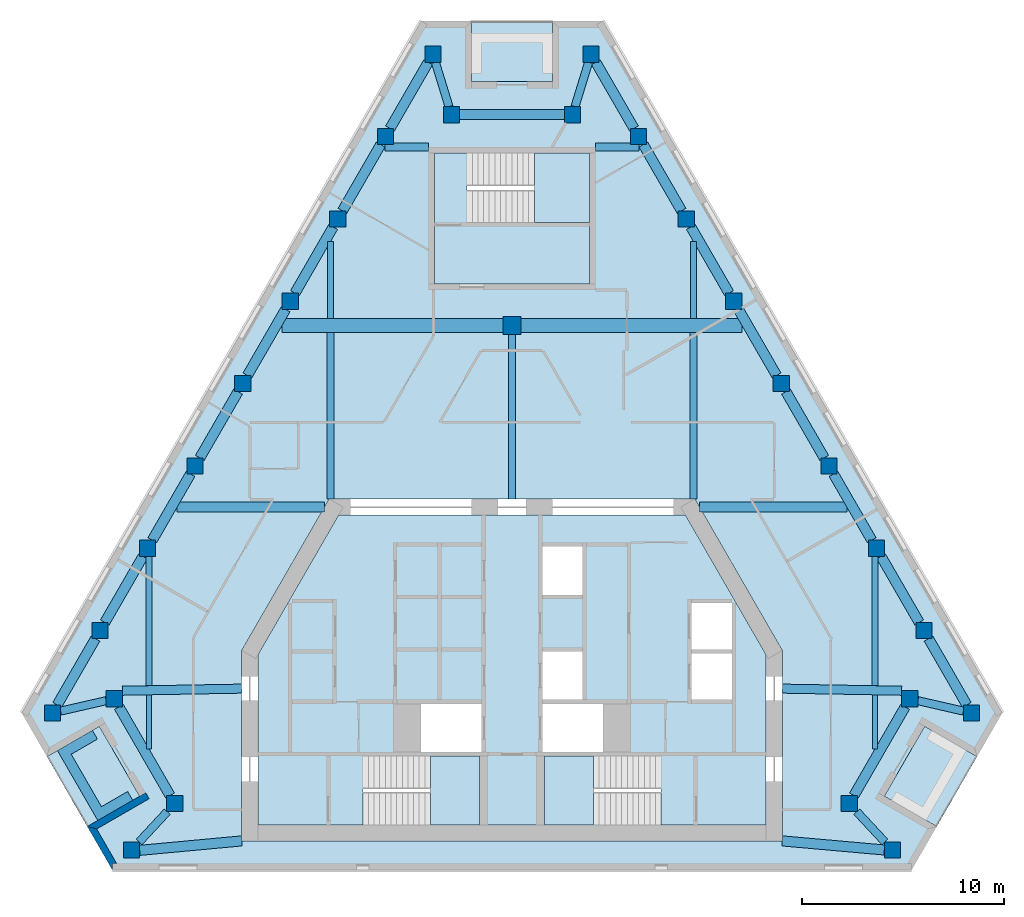
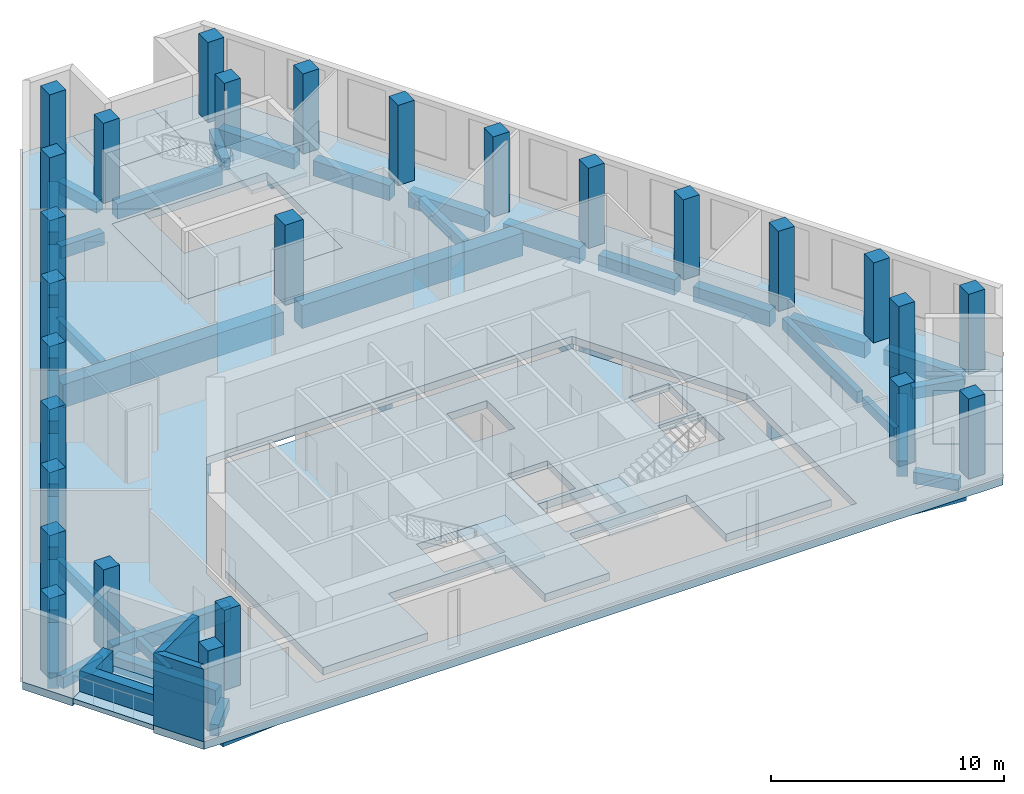
# One storey, part 1 of 8: 44 beams, 27 columns, 9 slabs, 3 walls, 3 elements without a shape of their own.
"""IFC4 building model written with IfcOpenShell, lengths in metres."""

from ifc_helpers import new_model, si_unit, direction, frame, origin, origin_2d, place, context, subcontext, project, spatial, polyline, rectangle, outline, extrude, material, layer, layer_set, material_profile, profile_set, type_object, element, aggregate, save


model = new_model("IFC4")

# Units and contexts
model_context = context("Model", 3, precision=1e-05, world=origin(), true_north=direction((0.0, 1.0)))
body_context = subcontext(model_context, "Body", "Model", "MODEL_VIEW")
ifc_project = project(units=[si_unit("LENGTHUNIT", "METRE"), si_unit("AREAUNIT", "SQUARE_METRE"), si_unit("VOLUMEUNIT", "CUBIC_METRE"), si_unit("PLANEANGLEUNIT", "RADIAN"), si_unit("MASSUNIT", "GRAM", prefix="KILO")], contexts=[model_context])

# Site, building, storey
site_placement = place(None, origin())
site = spatial("IfcSite", under=ifc_project, at=site_placement, CompositionType="ELEMENT")
building_placement = place(site_placement, origin())
building = spatial("IfcBuilding", under=site, at=building_placement, Name="Fogline Exchange Tower", CompositionType="ELEMENT")
storey_placement = place(building_placement, frame((0.0, 0.0, 326.699951171875)))
storey = spatial("IfcBuildingStorey", under=building, at=storey_placement, Name="L74", CompositionType="ELEMENT", Elevation=326.699951171875)

# Columns
ifc_material_1 = material(Name="Concrete C60", Category="concrete")
ifc_material_profile_1 = material_profile(ifc_material_1, rectangle(XDim=0.89990234375, YDim=0.89990234375, at=origin_2d()), Name="RC 900x900")
ifc_profile_set_1 = profile_set([ifc_material_profile_1], Name="Concrete C60")
column_type_1 = type_object("IfcColumnType", Name="C06", PredefinedType="COLUMN", material=ifc_profile_set_1)
column_placement = place(storey_placement, frame((0.0, 27.0, 0.0), z_axis=(0.0, 0.0, 1.0), x_axis=(1.0, 0.0, 0.0)))
element("IfcColumn", 1, at=column_placement, inside=storey, type_object=column_type_1, Name="IC-0-27", PredefinedType="COLUMN", context=body_context, shape_type="SweptSolid", body=[
    extrude(rectangle(XDim=0.89990234375, YDim=0.89990234375, at=origin_2d()), origin(), (0.0, 0.0, 1.0), 4.199951171875),
])
ifc_material_profile_2 = material_profile(ifc_material_1, rectangle(XDim=0.800048828125, YDim=0.800048828125, at=origin_2d()), Name="RC 800x800")
ifc_profile_set_2 = profile_set([ifc_material_profile_2], Name="Concrete C60")
column_type_2 = type_object("IfcColumnType", Name="C07", PredefinedType="COLUMN", material=ifc_profile_set_2)
for number, where, z_axis, x_axis, name in (
    (2, (-22.7802734375, 7.794189453125, 0.0), (0.0, 0.0, 1.0), (1.0, 0.0, 0.0), "SW-a"),
    (3, (-19.720947265625, 8.4951171875, 0.0), (0.0, 0.0, 1.0), (1.0, 0.0, 0.0), "SW-p4"),
    (4, (-16.720947265625, 3.299072265625, 0.0), (0.0, 0.0, 1.0), (1.0, 0.0, 0.0), "SW-p3"),
    (5, (-18.857666015625, 1.0, 0.0), (0.0, 0.0, 1.0), (1.0, 0.0, 0.0), "SW-b"),
    (6, (18.857666015625, 1.0, 0.0), (0.0, 0.0, 1.0), (1.0, 0.0, 0.0), "SE-a"),
    (7, (16.720947265625, 3.299072265625, 0.0), (0.0, 0.0, 1.0), (1.0, 0.0, 0.0), "SE-p4"),
    (8, (19.720947265625, 8.4951171875, 0.0), (0.0, 0.0, 1.0), (1.0, 0.0, 0.0), "SE-p3"),
    (9, (22.7802734375, 7.794189453125, 0.0), (0.0, 0.0, 1.0), (1.0, 0.0, 0.0), "SE-b"),
    (10, (20.423095703125, 11.876953125, 0.0), (0.0, 0.0, 1.0), (1.0, 0.0, 0.0), "E1"),
    (11, (18.06591796875, 15.959716796875, 0.0), (0.0, 0.0, 1.0), (1.0, 0.0, 0.0), "E2"),
    (12, (15.708740234375, 20.04248046875, 0.0), (0.0, 0.0, 1.0), (1.0, 0.0, 0.0), "E3"),
    (13, (13.3515625, 24.12548828125, 0.0), (0.0, 0.0, 1.0), (1.0, 0.0, 0.0), "E4"),
    (14, (10.994384765625, 28.208251953125, 0.0), (0.0, 0.0, 1.0), (1.0, 0.0, 0.0), "E5"),
    (15, (8.63720703125, 32.291015625, 0.0), (0.0, 0.0, 1.0), (1.0, 0.0, 0.0), "E6"),
    (16, (6.27978515625, 36.373779296875, 0.0), (0.0, 0.0, 1.0), (1.0, 0.0, 0.0), "E7"),
    (17, (3.922607421875, 40.456787109375, 0.0), (0.0, 0.0, 1.0), (1.0, 0.0, 0.0), "N-a"),
    (18, (3.0, 37.456787109375, 0.0), (0.0, 0.0, 1.0), (1.0, 0.0, 0.0), "N-p4"),
    (19, (-3.0, 37.456787109375, 0.0), (0.0, 0.0, 1.0), (1.0, 0.0, 0.0), "N-p3"),
    (20, (-3.922607421875, 40.456787109375, 0.0), (0.0, 0.0, 1.0), (1.0, 0.0, 0.0), "N-b"),
    (21, (-6.27978515625, 36.373779296875, 0.0), (0.0, 0.0, 1.0), (1.0, 0.0, 0.0), "W1"),
    (22, (-8.63720703125, 32.291015625, 0.0), (0.0, 0.0, 1.0), (1.0, 0.0, 0.0), "W2"),
    (23, (-10.994384765625, 28.208251953125, 0.0), (0.0, 0.0, 1.0), (1.0, 0.0, 0.0), "W3"),
    (24, (-13.3515625, 24.12548828125, 0.0), (0.0, 0.0, 1.0), (1.0, 0.0, 0.0), "W4"),
    (25, (-15.708740234375, 20.04248046875, 0.0), (0.0, 0.0, 1.0), (1.0, 0.0, 0.0), "W5"),
    (26, (-18.06591796875, 15.959716796875, 0.0), (0.0, 0.0, 1.0), (1.0, 0.0, 0.0), "W6"),
    (27, (-20.423095703125, 11.876953125, 0.0), (0.0, 0.0, 1.0), (1.0, 0.0, 0.0), "W7"),
):
    element("IfcColumn", number, at=place(storey_placement, frame(where, z_axis=z_axis, x_axis=x_axis)), inside=storey, type_object=column_type_2, Name=name, PredefinedType="COLUMN", context=body_context, shape_type="SweptSolid", body=[
        extrude(rectangle(XDim=0.800048828125, YDim=0.800048828125, at=origin_2d()), origin(), (0.0, 0.0, 1.0), 4.199951171875),
    ])

# Beams
ifc_material_2 = material(Name="Concrete C40", Category="concrete")
ifc_material_profile_3 = material_profile(ifc_material_2, rectangle(XDim=0.300048828125, YDim=0.60009765625, at=origin_2d()), Name="RC 300x600")
ifc_profile_set_3 = profile_set([ifc_material_profile_3], Name="Concrete C40")
beam_type_1 = type_object("IfcBeamType", Name="B06", PredefinedType="BEAM", material=ifc_profile_set_3)
beam_1_placement = place(storey_placement, frame((-18.0, 9.1435546875, -0.699951171875), z_axis=(0.0, 1.0, 0.0), x_axis=(-1.0, 0.0, 0.0)))
element("IfcBeam", 28, at=beam_1_placement, inside=storey, type_object=beam_type_1, Name="SB002", PredefinedType="BEAM", context=body_context, shape_type="SweptSolid", body=[
    extrude(rectangle(XDim=0.300048828125, YDim=0.60009765625, at=origin_2d()), origin(), (0.0, 0.0, 1.0), 6.416259765625),
])
for number, where, z_axis, x_axis, name in (
    (29, (-9.0, 27.35009765625, -0.699951171875), (0.0, 1.0, 0.0), (-1.0, 0.0, 0.0), "SB004"),
    (30, (9.0, 27.35009765625, -0.699951171875), (0.0, 1.0, 0.0), (-1.0, 0.0, 0.0), "SB007"),
):
    element("IfcBeam", number, at=place(storey_placement, frame(where, z_axis=z_axis, x_axis=x_axis)), inside=storey, type_object=beam_type_1, Name=name, PredefinedType="BEAM", context=body_context, shape_type="SweptSolid", body=[
        extrude(rectangle(XDim=0.300048828125, YDim=0.60009765625, at=origin_2d()), origin(), (0.0, 0.0, 1.0), 3.812255859375),
    ])
beam_2_placement = place(storey_placement, frame((18.0, 9.1435546875, -0.699951171875), z_axis=(0.0, 1.0, 0.0), x_axis=(-1.0, 0.0, 0.0)))
element("IfcBeam", 31, at=beam_2_placement, inside=storey, type_object=beam_type_1, Name="SB009", PredefinedType="BEAM", context=body_context, shape_type="SweptSolid", body=[
    extrude(rectangle(XDim=0.300048828125, YDim=0.60009765625, at=origin_2d()), origin(), (0.0, 0.0, 1.0), 6.416259765625),
])
ifc_material_profile_4 = material_profile(ifc_material_2, rectangle(XDim=0.25, YDim=0.5, at=origin_2d()), Name="RC 250x500")
ifc_profile_set_4 = profile_set([ifc_material_profile_4], Name="Concrete C40")
beam_type_2 = type_object("IfcBeamType", Name="B08", PredefinedType="BEAM", material=ifc_profile_set_4)
for number, where, z_axis, x_axis, name in (
    (32, (-18.0, 6.014404296875, -0.64990234375), (0.0, 1.0, 0.0), (-1.0, 0.0, 0.0), "SB001"),
    (33, (18.0, 6.014404296875, -0.64990234375), (0.0, 1.0, 0.0), (-1.0, 0.0, 0.0), "SB008"),
):
    element("IfcBeam", number, at=place(storey_placement, frame(where, z_axis=z_axis, x_axis=x_axis)), inside=storey, type_object=beam_type_2, Name=name, PredefinedType="BEAM", context=body_context, shape_type="SweptSolid", body=[
        extrude(rectangle(XDim=0.25, YDim=0.5, at=origin_2d()), origin(), (0.0, 0.0, 1.0), 2.67919921875),
    ])
ifc_material_profile_5 = material_profile(ifc_material_2, rectangle(XDim=0.5, YDim=0.800048828125, at=origin_2d()), Name="RC 500x800")
ifc_profile_set_5 = profile_set([ifc_material_profile_5], Name="Concrete C40")
beam_type_3 = type_object("IfcBeamType", Name="B10", PredefinedType="BEAM", material=ifc_profile_set_5)
beam_3_placement = place(storey_placement, frame((-19.489990234375, 8.09521484375, -0.800048828125), z_axis=(0.499987508774, -0.866032615477, 0.0), x_axis=(0.866032615477, 0.499987508774, 0.0)))
element("IfcBeam", 34, at=beam_3_placement, inside=storey, type_object=beam_type_3, Name="RB002", PredefinedType="BEAM", context=body_context, shape_type="SweptSolid", body=[
    extrude(rectangle(XDim=0.5, YDim=0.800048828125, at=origin_2d()), origin(), (0.0, 0.0, 1.0), 5.076416015625),
])
beam_4_placement = place(storey_placement, frame((-18.457763671875, 0.981689453125, -0.800048828125), z_axis=(0.995741736268, 0.092186737952, 0.0), x_axis=(-0.092186737952, 0.995741736268, 0.0)))
element("IfcBeam", 35, at=beam_4_placement, inside=storey, type_object=beam_type_3, Name="RB004", PredefinedType="BEAM", context=body_context, shape_type="SweptSolid", body=[
    extrude(rectangle(XDim=0.5, YDim=0.800048828125, at=origin_2d()), origin(), (0.0, 0.0, 1.0), 5.07958984375),
])
beam_5_placement = place(storey_placement, frame((13.39990234375, 1.449951171875, -0.800048828125), z_axis=(0.996066324908, -0.088610814153, 0.0), x_axis=(0.088610814153, 0.996066324908, 0.0)))
element("IfcBeam", 36, at=beam_5_placement, inside=storey, type_object=beam_type_3, Name="RB005", PredefinedType="BEAM", context=body_context, shape_type="SweptSolid", body=[
    extrude(rectangle(XDim=0.5, YDim=0.800048828125, at=origin_2d()), origin(), (0.0, 0.0, 1.0), 5.077880859375),
])
beam_6_placement = place(storey_placement, frame((16.951904296875, 3.698974609375, -0.800048828125), z_axis=(0.499987508774, 0.866032615477, 0.0), x_axis=(-0.866032615477, 0.499987508774, 0.0)))
element("IfcBeam", 37, at=beam_6_placement, inside=storey, type_object=beam_type_3, Name="RB007", PredefinedType="BEAM", context=body_context, shape_type="SweptSolid", body=[
    extrude(rectangle(XDim=0.5, YDim=0.800048828125, at=origin_2d()), origin(), (0.0, 0.0, 1.0), 5.076416015625),
])
beam_7_placement = place(storey_placement, frame((22.54931640625, 8.194091796875, -0.800048828125), z_axis=(-0.499969613651, 0.86604294664, 0.0), x_axis=(-0.86604294664, -0.499969613651, 0.0)))
element("IfcBeam", 38, at=beam_7_placement, inside=storey, type_object=beam_type_3, Name="RB009", PredefinedType="BEAM", context=body_context, shape_type="SweptSolid", body=[
    extrude(rectangle(XDim=0.5, YDim=0.800048828125, at=origin_2d()), origin(), (0.0, 0.0, 1.0), 3.790771484375),
])
for number, where, z_axis, x_axis, name in (
    (39, (20.192138671875, 12.277099609375, -0.800048828125), (-0.499997501644, 0.866026846206, 0.0), (-0.866026846206, -0.499997501644, 0.0), "RB010"),
    (40, (17.8349609375, 16.35986328125, -0.800048828125), (-0.499997501644, 0.866026846206, 0.0), (-0.866026846206, -0.499997501644, 0.0), "RB011"),
    (41, (15.477783203125, 20.442626953125, -0.800048828125), (-0.499997501644, 0.866026846206, 0.0), (-0.866026846206, -0.499997501644, 0.0), "RB012"),
):
    element("IfcBeam", number, at=place(storey_placement, frame(where, z_axis=z_axis, x_axis=x_axis)), inside=storey, type_object=beam_type_3, Name=name, PredefinedType="BEAM", context=body_context, shape_type="SweptSolid", body=[
        extrude(rectangle(XDim=0.5, YDim=0.800048828125, at=origin_2d()), origin(), (0.0, 0.0, 1.0), 3.79052734375),
    ])
for number, where, z_axis, x_axis, name in (
    (42, (13.12060546875, 24.525390625, -0.800048828125), (-0.500045805297, 0.865998956469, 0.0), (-0.865998956469, -0.500045805297, 0.0), "RB013"),
    (43, (10.76318359375, 28.608154296875, -0.800048828125), (-0.499969613651, 0.86604294664, 0.0), (-0.86604294664, -0.499969613651, 0.0), "RB014"),
    (44, (8.406005859375, 32.69091796875, -0.800048828125), (-0.499969613651, 0.86604294664, 0.0), (-0.86604294664, -0.499969613651, 0.0), "RB015"),
    (45, (6.048828125, 36.773681640625, -0.800048828125), (-0.499969613651, 0.86604294664, 0.0), (-0.86604294664, -0.499969613651, 0.0), "RB016"),
):
    element("IfcBeam", number, at=place(storey_placement, frame(where, z_axis=z_axis, x_axis=x_axis)), inside=storey, type_object=beam_type_3, Name=name, PredefinedType="BEAM", context=body_context, shape_type="SweptSolid", body=[
        extrude(rectangle(XDim=0.5, YDim=0.800048828125, at=origin_2d()), origin(), (0.0, 0.0, 1.0), 3.790771484375),
    ])
beam_8_placement = place(storey_placement, frame((2.60009765625, 37.456787109375, -0.800048828125), z_axis=(-1.0, 0.0, 0.0), x_axis=(0.0, -1.0, 0.0)))
element("IfcBeam", 46, at=beam_8_placement, inside=storey, type_object=beam_type_3, Name="RB018", PredefinedType="BEAM", context=body_context, shape_type="SweptSolid", body=[
    extrude(rectangle(XDim=0.5, YDim=0.800048828125, at=origin_2d()), origin(), (0.0, 0.0, 1.0), 5.2001953125),
])
for number, where, z_axis, x_axis, name in (
    (47, (-4.153564453125, 40.056640625, -0.800048828125), (-0.499969613651, -0.86604294664, 0.0), (0.86604294664, -0.499969613651, 0.0), "RB020"),
    (48, (-6.5107421875, 35.973876953125, -0.800048828125), (-0.499969613651, -0.86604294664, 0.0), (0.86604294664, -0.499969613651, 0.0), "RB021"),
    (49, (-8.867919921875, 31.89111328125, -0.800048828125), (-0.499969613651, -0.86604294664, 0.0), (0.86604294664, -0.499969613651, 0.0), "RB022"),
    (50, (-11.22509765625, 27.80810546875, -0.800048828125), (-0.500045805297, -0.865998956469, 0.0), (0.865998956469, -0.500045805297, 0.0), "RB023"),
):
    element("IfcBeam", number, at=place(storey_placement, frame(where, z_axis=z_axis, x_axis=x_axis)), inside=storey, type_object=beam_type_3, Name=name, PredefinedType="BEAM", context=body_context, shape_type="SweptSolid", body=[
        extrude(rectangle(XDim=0.5, YDim=0.800048828125, at=origin_2d()), origin(), (0.0, 0.0, 1.0), 3.790771484375),
    ])
for number, where, z_axis, x_axis, name in (
    (51, (-13.58251953125, 23.725341796875, -0.800048828125), (-0.499997501644, -0.866026846206, 0.0), (0.866026846206, -0.499997501644, 0.0), "RB024"),
    (52, (-15.939697265625, 19.642578125, -0.800048828125), (-0.499997501644, -0.866026846206, 0.0), (0.866026846206, -0.499997501644, 0.0), "RB025"),
    (53, (-18.296875, 15.559814453125, -0.800048828125), (-0.499997501644, -0.866026846206, 0.0), (0.866026846206, -0.499997501644, 0.0), "RB026"),
):
    element("IfcBeam", number, at=place(storey_placement, frame(where, z_axis=z_axis, x_axis=x_axis)), inside=storey, type_object=beam_type_3, Name=name, PredefinedType="BEAM", context=body_context, shape_type="SweptSolid", body=[
        extrude(rectangle(XDim=0.5, YDim=0.800048828125, at=origin_2d()), origin(), (0.0, 0.0, 1.0), 3.79052734375),
    ])
beam_9_placement = place(storey_placement, frame((-20.654052734375, 11.47705078125, -0.800048828125), z_axis=(-0.499969613651, -0.86604294664, 0.0), x_axis=(0.86604294664, -0.499969613651, 0.0)))
element("IfcBeam", 54, at=beam_9_placement, inside=storey, type_object=beam_type_3, Name="RB027", PredefinedType="BEAM", context=body_context, shape_type="SweptSolid", body=[
    extrude(rectangle(XDim=0.5, YDim=0.800048828125, at=origin_2d()), origin(), (0.0, 0.0, 1.0), 3.790771484375),
])
ifc_material_profile_6 = material_profile(ifc_material_2, rectangle(XDim=0.39990234375, YDim=0.60009765625, at=origin_2d()), Name="RC 400x600")
ifc_profile_set_6 = profile_set([ifc_material_profile_6], Name="Concrete C40")
beam_type_4 = type_object("IfcBeamType", Name="B11", PredefinedType="BEAM", material=ifc_profile_set_6)
beam_10_placement = place(storey_placement, frame((-22.38037109375, 7.885986328125, -0.699951171875), z_axis=(0.974753812703, 0.223282342834, 0.0), x_axis=(-0.223282342834, 0.974753812703, 0.0)))
element("IfcBeam", 55, at=beam_10_placement, inside=storey, type_object=beam_type_4, Name="RB001", PredefinedType="BEAM", context=body_context, shape_type="SweptSolid", body=[
    extrude(rectangle(XDim=0.39990234375, YDim=0.60009765625, at=origin_2d()), origin(), (0.0, 0.0, 1.0), 2.318115234375),
])
for number, where, z_axis, x_axis, name in (
    (56, (-17.0927734375, 2.89892578125, -0.699951171875), (-0.680743909802, -0.732521487239, 0.0), (0.732521487239, -0.680743909802, 0.0), "RB003"),
    (57, (18.48583984375, 1.39990234375, -0.699951171875), (-0.680743909802, 0.732521487239, 0.0), (-0.732521487239, -0.680743909802, 0.0), "RB006"),
):
    element("IfcBeam", number, at=place(storey_placement, frame(where, z_axis=z_axis, x_axis=x_axis)), inside=storey, type_object=beam_type_4, Name=name, PredefinedType="BEAM", context=body_context, shape_type="SweptSolid", body=[
        extrude(rectangle(XDim=0.39990234375, YDim=0.60009765625, at=origin_2d()), origin(), (0.0, 0.0, 1.0), 2.04638671875),
    ])
beam_11_placement = place(storey_placement, frame((20.120849609375, 8.403564453125, -0.699951171875), z_axis=(0.974753812703, -0.223282342834, 0.0), x_axis=(0.223282342834, 0.974753812703, 0.0)))
element("IfcBeam", 58, at=beam_11_placement, inside=storey, type_object=beam_type_4, Name="RB008", PredefinedType="BEAM", context=body_context, shape_type="SweptSolid", body=[
    extrude(rectangle(XDim=0.39990234375, YDim=0.60009765625, at=origin_2d()), origin(), (0.0, 0.0, 1.0), 2.318115234375),
])
for number, where, z_axis, x_axis, name in (
    (59, (3.799560546875, 40.056640625, -0.699951171875), (-0.293929314998, -0.955827158949, 0.0), (0.955827158949, -0.293929314998, 0.0), "RB017"),
    (60, (-3.123046875, 37.856689453125, -0.699951171875), (-0.293929314998, 0.955827158949, 0.0), (-0.955827158949, -0.293929314998, 0.0), "RB019"),
):
    element("IfcBeam", number, at=place(storey_placement, frame(where, z_axis=z_axis, x_axis=x_axis)), inside=storey, type_object=beam_type_4, Name=name, PredefinedType="BEAM", context=body_context, shape_type="SweptSolid", body=[
        extrude(rectangle(XDim=0.39990234375, YDim=0.60009765625, at=origin_2d()), origin(), (0.0, 0.0, 1.0), 2.301513671875),
    ])
ifc_material_profile_7 = material_profile(ifc_material_2, rectangle(XDim=0.39990234375, YDim=0.64990234375, at=origin_2d()), Name="RC 400x650")
ifc_profile_set_7 = profile_set([ifc_material_profile_7], Name="Concrete C40")
beam_type_5 = type_object("IfcBeamType", Name="B13", PredefinedType="BEAM", material=ifc_profile_set_7)
for number, where, z_axis, x_axis, name in (
    (61, (-6.308349609375, 35.85693359375, -0.724853515625), (1.0, 0.0, 0.0), (0.0, 1.0, 0.0), "GB007"),
    (62, (4.14990234375, 35.85693359375, -0.724853515625), (1.0, 0.0, 0.0), (0.0, 1.0, 0.0), "GB008"),
):
    element("IfcBeam", number, at=place(storey_placement, frame(where, z_axis=z_axis, x_axis=x_axis)), inside=storey, type_object=beam_type_5, Name=name, PredefinedType="BEAM", context=body_context, shape_type="SweptSolid", body=[
        extrude(rectangle(XDim=0.39990234375, YDim=0.64990234375, at=origin_2d()), origin(), (0.0, 0.0, 1.0), 2.158447265625),
    ])
ifc_material_profile_8 = material_profile(ifc_material_2, rectangle(XDim=0.5, YDim=0.949951171875, at=origin_2d()), Name="RC 500x950")
ifc_profile_set_8 = profile_set([ifc_material_profile_8], Name="Concrete C40")
beam_type_6 = type_object("IfcBeamType", Name="B14", PredefinedType="BEAM", material=ifc_profile_set_8)
for number, where, z_axis, x_axis, name in (
    (63, (-16.599365234375, 18.0, -0.875), (1.0, 0.0, 0.0), (0.0, 1.0, 0.0), "GB003"),
    (64, (9.296142578125, 18.0, -0.875), (1.0, 0.0, 0.0), (0.0, 1.0, 0.0), "GB004"),
):
    element("IfcBeam", number, at=place(storey_placement, frame(where, z_axis=z_axis, x_axis=x_axis)), inside=storey, type_object=beam_type_6, Name=name, PredefinedType="BEAM", context=body_context, shape_type="SweptSolid", body=[
        extrude(rectangle(XDim=0.5, YDim=0.949951171875, at=origin_2d()), origin(), (0.0, 0.0, 1.0), 7.30322265625),
    ])
ifc_material_profile_9 = material_profile(ifc_material_2, rectangle(XDim=0.35009765625, YDim=0.64990234375, at=origin_2d()), Name="RC 350x650")
ifc_profile_set_9 = profile_set([ifc_material_profile_9], Name="Concrete C40")
beam_type_7 = type_object("IfcBeamType", Name="B16", PredefinedType="BEAM", material=ifc_profile_set_9)
beam_12_placement = place(storey_placement, frame((-9.0, 18.39990234375, -0.724853515625), z_axis=(0.0, 1.0, 0.0), x_axis=(-1.0, 0.0, 0.0)))
element("IfcBeam", 65, at=beam_12_placement, inside=storey, type_object=beam_type_7, Name="SB003", PredefinedType="BEAM", context=body_context, shape_type="SweptSolid", body=[
    extrude(rectangle(XDim=0.35009765625, YDim=0.64990234375, at=origin_2d()), origin(), (0.0, 0.0, 1.0), 8.25),
])
beam_13_placement = place(storey_placement, frame((0.0, 18.39990234375, -0.724853515625), z_axis=(0.0, 1.0, 0.0), x_axis=(-1.0, 0.0, 0.0)))
element("IfcBeam", 66, at=beam_13_placement, inside=storey, type_object=beam_type_7, Name="SB005", PredefinedType="BEAM", context=body_context, shape_type="SweptSolid", body=[
    extrude(rectangle(XDim=0.35009765625, YDim=0.64990234375, at=origin_2d()), origin(), (0.0, 0.0, 1.0), 8.150146484375),
])
beam_14_placement = place(storey_placement, frame((9.0, 18.39990234375, -0.724853515625), z_axis=(0.0, 1.0, 0.0), x_axis=(-1.0, 0.0, 0.0)))
element("IfcBeam", 67, at=beam_14_placement, inside=storey, type_object=beam_type_7, Name="SB006", PredefinedType="BEAM", context=body_context, shape_type="SweptSolid", body=[
    extrude(rectangle(XDim=0.35009765625, YDim=0.64990234375, at=origin_2d()), origin(), (0.0, 0.0, 1.0), 8.25),
])
ifc_material_profile_10 = material_profile(ifc_material_2, rectangle(XDim=0.699951171875, YDim=1.199951171875, at=origin_2d()), Name="RC 700x1200")
ifc_profile_set_10 = profile_set([ifc_material_profile_10], Name="Concrete C40")
beam_type_8 = type_object("IfcBeamType", Name="B17", PredefinedType="BEAM", material=ifc_profile_set_10)
for number, where, z_axis, x_axis, name in (
    (68, (-11.4033203125, 27.0, -1.0), (1.0, 0.0, 0.0), (0.0, 1.0, 0.0), "GB005"),
    (69, (0.449951171875, 27.0, -1.0), (1.0, 0.0, 0.0), (0.0, 1.0, 0.0), "GB006"),
):
    element("IfcBeam", number, at=place(storey_placement, frame(where, z_axis=z_axis, x_axis=x_axis)), inside=storey, type_object=beam_type_8, Name=name, PredefinedType="BEAM", context=body_context, shape_type="SweptSolid", body=[
        extrude(rectangle(XDim=0.699951171875, YDim=1.199951171875, at=origin_2d()), origin(), (0.0, 0.0, 1.0), 10.953369140625),
    ])
ifc_material_profile_11 = material_profile(ifc_material_2, rectangle(XDim=0.449951171875, YDim=0.800048828125, at=origin_2d()), Name="RC 450x800")
ifc_profile_set_11 = profile_set([ifc_material_profile_11], Name="Concrete C40")
beam_type_9 = type_object("IfcBeamType", Name="B18", PredefinedType="BEAM", material=ifc_profile_set_11)
for number, where, z_axis, x_axis, name in (
    (70, (-19.32080078125, 8.895263671875, -0.800048828125), (0.9998435817, 0.017686495817, 0.0), (-0.017686495817, 0.9998435817, 0.0), "GB001"),
    (71, (13.39990234375, 9.0, -0.800048828125), (0.9998435817, -0.017686495817, 0.0), (0.017686495817, 0.9998435817, 0.0), "GB002"),
):
    element("IfcBeam", number, at=place(storey_placement, frame(where, z_axis=z_axis, x_axis=x_axis)), inside=storey, type_object=beam_type_9, Name=name, PredefinedType="BEAM", context=body_context, shape_type="SweptSolid", body=[
        extrude(rectangle(XDim=0.449951171875, YDim=0.800048828125, at=origin_2d()), origin(), (0.0, 0.0, 1.0), 5.921875),
    ])

# Slabs
ifc_layer_1 = layer(ifc_material_2, 0.25)
ifc_layer_set_1 = layer_set([ifc_layer_1], Name="DK1")
slab_type_1 = type_object("IfcSlabType", Name="DK1", PredefinedType="FLOOR", material=ifc_layer_set_1)
slab_1_placement = place(storey_placement, frame((0.0, 0.0, -0.25)))
element("IfcSlab", 72, at=slab_1_placement, inside=storey, type_object=slab_type_1, Name="Balcony L74 SW", PredefinedType="FLOOR", context=body_context, shape_type="SweptSolid", body=[
    extrude(outline(polyline([(-23.057373046875, 5.629150390625), (-21.057373046875, 2.1650390625), (-18.459228515625, 3.6650390625), (-20.459228515625, 7.129150390625), (-23.057373046875, 5.629150390625)])), origin(), (0.0, 0.0, 1.0), 0.25),
])
slab_2_placement = place(storey_placement, frame((0.0, 0.0, -0.25)))
element("IfcSlab", 73, at=slab_2_placement, inside=storey, type_object=slab_type_1, Name="Balcony L74 SE", PredefinedType="FLOOR", context=body_context, shape_type="SweptSolid", body=[
    extrude(outline(polyline([(21.057373046875, 2.1650390625), (23.057373046875, 5.629150390625), (20.459228515625, 7.129150390625), (18.459228515625, 3.6650390625), (21.057373046875, 2.1650390625)])), origin(), (0.0, 0.0, 1.0), 0.25),
])
slab_3_placement = place(storey_placement, frame((0.0, 0.0, -0.25)))
element("IfcSlab", 74, at=slab_3_placement, inside=storey, type_object=slab_type_1, Name="Balcony L74 N", PredefinedType="FLOOR", context=body_context, shape_type="SweptSolid", body=[
    extrude(outline(polyline([(2.0, 42.101806640625), (-2.0, 42.101806640625), (-2.0, 39.101806640625), (2.0, 39.101806640625), (2.0, 42.101806640625)])), origin(), (0.0, 0.0, 1.0), 0.25),
])
ifc_layer_2 = layer(ifc_material_2, 0.39990234375)
ifc_layer_set_2 = layer_set([ifc_layer_2], Name="S03")
slab_type_2 = type_object("IfcSlabType", Name="S03", PredefinedType="FLOOR", material=ifc_layer_set_2)
slab_4_placement = place(storey_placement, frame((0.0, 0.0, -0.39990234375)))
element("IfcSlab", 75, at=slab_4_placement, inside=storey, type_object=slab_type_2, Name="SLAB L74", PredefinedType="FLOOR", context=body_context, shape_type="SweptSolid", body=[
    extrude(outline(polyline([(-2.0, 42.101806640625), (-4.5, 42.101806640625), (-24.307373046875, 7.794189453125), (-23.057373046875, 5.629150390625), (-20.459228515625, 7.129150390625), (-18.459228515625, 3.6650390625), (-21.057373046875, 2.1650390625), (-19.807373046875, 0.0), (19.807373046875, 0.0), (21.057373046875, 2.1650390625), (18.459228515625, 3.6650390625), (20.459228515625, 7.129150390625), (23.057373046875, 5.629150390625), (24.307373046875, 7.794189453125), (4.5, 42.101806640625), (2.0, 42.101806640625), (2.0, 39.101806640625), (-2.0, 39.101806640625), (-2.0, 42.101806640625)]), holes=[polyline([(13.39990234375, 10.891845703125), (13.39990234375, 1.449951171875), (-13.39990234375, 1.449951171875), (-13.39990234375, 10.891845703125), (-9.065185546875, 18.39990234375), (9.065185546875, 18.39990234375), (13.39990234375, 10.891845703125)]), polyline([(3.85009765625, 35.556884765625), (3.85009765625, 29.056884765625), (-3.85009765625, 29.056884765625), (-3.85009765625, 35.556884765625), (3.85009765625, 35.556884765625)])]), origin(), (0.0, 0.0, 1.0), 0.39990234375),
])
slab_5_placement = place(storey_placement, frame((0.0, 0.0, -0.39990234375)))
element("IfcSlab", 76, at=slab_5_placement, inside=storey, type_object=slab_type_2, Name="Core floor slab", PredefinedType="FLOOR", context=body_context, shape_type="SweptSolid", body=[
    extrude(outline(polyline([(-12.60009765625, 2.25), (-12.60009765625, 10.677490234375), (-8.603271484375, 17.60009765625), (8.603271484375, 17.60009765625), (12.60009765625, 10.677490234375), (12.60009765625, 2.25), (7.389892578125, 2.25), (7.389892578125, 5.64990234375), (1.60009765625, 5.64990234375), (1.60009765625, 2.25), (-1.60009765625, 2.25), (-1.60009765625, 5.64990234375), (-7.389892578125, 5.64990234375), (-7.389892578125, 2.25), (-12.60009765625, 2.25)]), holes=[polyline([(-4.5, 8.25), (-4.5, 5.85009765625), (-1.5, 5.85009765625), (-1.5, 8.25), (-4.5, 8.25)]), polyline([(1.5, 8.25), (1.5, 5.85009765625), (4.5, 5.85009765625), (4.5, 8.25), (1.5, 8.25)]), polyline([(8.89990234375, 10.75), (8.89990234375, 8.449951171875), (10.89990234375, 8.449951171875), (10.89990234375, 10.75), (8.89990234375, 10.75)]), polyline([(1.5, 10.85009765625), (1.5, 8.449951171875), (3.5, 8.449951171875), (3.5, 10.85009765625), (1.5, 10.85009765625)]), polyline([(8.89990234375, 13.25), (8.89990234375, 10.949951171875), (10.89990234375, 10.949951171875), (10.89990234375, 13.25), (8.89990234375, 13.25)]), polyline([(1.5, 16.050048828125), (1.5, 13.64990234375), (3.5, 13.64990234375), (3.5, 16.050048828125), (1.5, 16.050048828125)])]), origin(), (0.0, 0.0, 1.0), 0.39990234375),
])
slab_6_placement = place(storey_placement, frame((0.0, 0.0, -0.39990234375)))
element("IfcSlab", 77, at=slab_6_placement, inside=storey, type_object=slab_type_2, Name="Stair enclosure floor slab", PredefinedType="FLOOR", context=body_context, shape_type="SweptSolid", body=[
    extrude(outline(polyline([(3.85009765625, 29.056884765625), (-3.85009765625, 29.056884765625), (-3.85009765625, 35.556884765625), (-2.239990234375, 35.556884765625), (-2.239990234375, 32.10693359375), (3.85009765625, 32.10693359375), (3.85009765625, 29.056884765625)])), origin(), (0.0, 0.0, 1.0), 0.39990234375),
])

# Stair, slab
stair_type = type_object("IfcStairType", Name="STR26-1615", PredefinedType="HALF_TURN_STAIR", material=ifc_material_2)
stair_1_placement = place(storey_placement, origin())
stair_1 = element("IfcStair", 78, at=stair_1_placement, inside=storey, type_object=stair_type, Name="Stair ST1", PredefinedType="HALF_TURN_STAIR")
ifc_layer_3 = layer(ifc_material_2, 0.199951171875)
ifc_layer_set_3 = layer_set([ifc_layer_3], Name="SL200")
slab_type_3 = type_object("IfcSlabType", Name="SL200", PredefinedType="LANDING", material=ifc_layer_set_3)
slab_7_placement = place(storey_placement, frame((0.0, 0.0, 1.900146484375)))
slab_7 = element("IfcSlab", 79, at=slab_7_placement, type_object=slab_type_3, Name="ST1 landing 1", PredefinedType="LANDING", context=body_context, shape_type="SweptSolid", body=[
    extrude(outline(polyline([(-4.0400390625, 2.25), (-1.60009765625, 2.25), (-1.60009765625, 5.64990234375), (-4.0400390625, 5.64990234375), (-4.0400390625, 2.25)])), origin(), (0.0, 0.0, 1.0), 0.199951171875),
])
aggregate(stair_1, [slab_7])

stair_2_placement = place(storey_placement, origin())
stair_2 = element("IfcStair", 80, at=stair_2_placement, inside=storey, type_object=stair_type, Name="Stair ST2", PredefinedType="HALF_TURN_STAIR")
slab_8_placement = place(storey_placement, frame((0.0, 0.0, 1.900146484375)))
slab_8 = element("IfcSlab", 81, at=slab_8_placement, type_object=slab_type_3, Name="ST2 landing 1", PredefinedType="LANDING", context=body_context, shape_type="SweptSolid", body=[
    extrude(outline(polyline([(1.60009765625, 2.25), (4.0400390625, 2.25), (4.0400390625, 5.64990234375), (1.60009765625, 5.64990234375), (1.60009765625, 2.25)])), origin(), (0.0, 0.0, 1.0), 0.199951171875),
])
aggregate(stair_2, [slab_8])

stair_3_placement = place(storey_placement, origin())
stair_3 = element("IfcStair", 82, at=stair_3_placement, inside=storey, type_object=stair_type, Name="Stair ST3", PredefinedType="HALF_TURN_STAIR")
slab_9_placement = place(storey_placement, frame((0.0, 0.0, 1.900146484375)))
slab_9 = element("IfcSlab", 83, at=slab_9_placement, type_object=slab_type_3, Name="ST3 landing 1", PredefinedType="LANDING", context=body_context, shape_type="SweptSolid", body=[
    extrude(outline(polyline([(1.110107421875, 32.10693359375), (3.85009765625, 32.10693359375), (3.85009765625, 35.556884765625), (1.110107421875, 35.556884765625), (1.110107421875, 32.10693359375)])), origin(), (0.0, 0.0, 1.0), 0.199951171875),
])
aggregate(stair_3, [slab_9])

# Walls
ifc_material_3 = material(Name="Brick masonry", Category="masonry")
ifc_layer_4 = layer(ifc_material_3, 0.340087890625)
ifc_layer_set_4 = layer_set([ifc_layer_4], Name="FW1")
wall_type_1 = type_object("IfcWallType", Name="FW1", PredefinedType="SOLIDWALL", material=ifc_layer_set_4)
wall_1_placement = place(storey_placement, origin())
element("IfcWall", 84, at=wall_1_placement, inside=storey, type_object=wall_type_1, Name="Brick wall L74 SW-s2", PredefinedType="SOLIDWALL", context=body_context, shape_type="SweptSolid", body=[
    extrude(outline(polyline([(-21.05859375, 2.1650390625), (-18.459716796875, 3.66552734375), (-18.16455078125, 3.8359375), (-17.994140625, 3.540283203125), (-20.5927734375, 2.0400390625), (-21.05859375, 2.164794921875), (-21.05859375, 2.1650390625)])), origin(), (0.0, 0.0, 1.0), 3.800048828125),
])
wall_2_placement = place(storey_placement, origin())
element("IfcWall", 85, at=wall_2_placement, inside=storey, type_object=wall_type_1, Name="Brick wall L74 SW-c2", PredefinedType="SOLIDWALL", context=body_context, shape_type="SweptSolid", body=[
    extrude(outline(polyline([(-19.610107421875, 0.33935546875), (-19.806884765625, 0.33935546875), (-19.806884765625, -0.0009765625), (-19.807373046875, -0.001220703125), (-21.058349609375, 2.165771484375), (-21.058349609375, 2.166015625), (-20.592529296875, 2.041015625), (-19.610107421875, 0.33935546875)])), origin(), (0.0, 0.0, 1.0), 3.800048828125),
])
ifc_material_4 = material(Name="Concrete C30", Category="concrete")
ifc_layer_5 = layer(ifc_material_4, 0.199951171875)
ifc_layer_set_5 = layer_set([ifc_layer_5], Name="PL1")
wall_type_2 = type_object("IfcWallType", Name="PL1", PredefinedType="USERDEFINED", material=ifc_layer_set_5)
wall_3_placement = place(storey_placement, origin())
element("IfcWall", 86, at=wall_3_placement, inside=storey, type_object=wall_type_2, Name="PLANTER balcony L74 SW", ObjectType="PLANTER", PredefinedType="USERDEFINED", context=body_context, shape_type="SweptSolid", body=[
    extrude(outline(polyline([(-19.0556640625, 3.898193359375), (-20.354736328125, 3.148193359375), (-21.854736328125, 5.74609375), (-20.5556640625, 6.49609375), (-20.8056640625, 6.92919921875), (-22.537841796875, 5.92919921875), (-22.287841796875, 5.49609375), (-20.537841796875, 2.465087890625), (-20.104736328125, 2.715087890625), (-20.104736328125, 2.715087890625), (-18.8056640625, 3.465087890625), (-19.0556640625, 3.898193359375)])), origin(), (0.0, 0.0, 1.0), 1.10009765625),
])

save(model, "model.ifc")
